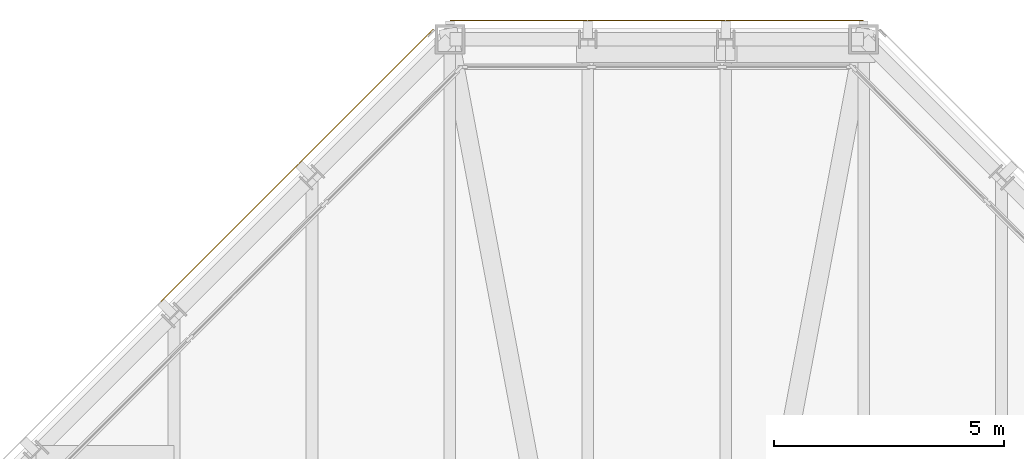
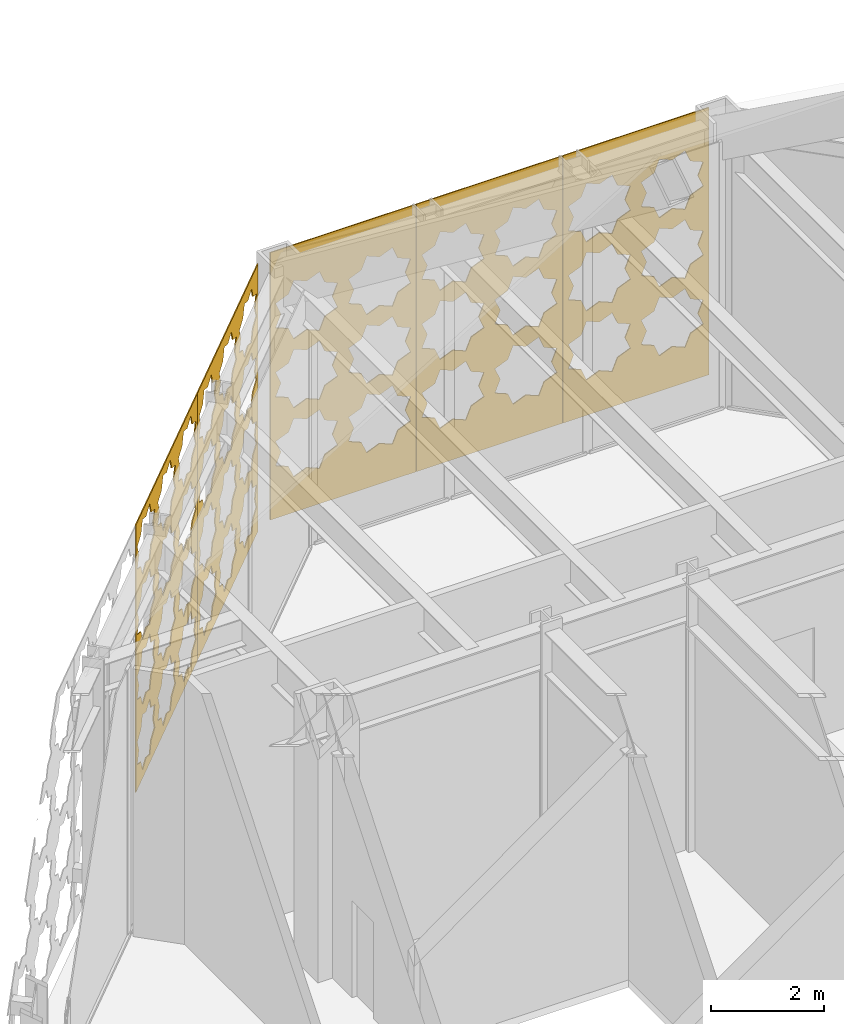
# One storey, part 28 of 30: 5 coverings.
"""IFC4 building model written with IfcOpenShell, lengths in metres."""

from ifc_helpers import new_model, si_unit, direction, frame, origin, place, context, subcontext, project, spatial, polyline, outline, extrude, material, layer, layer_set, type_object, element, save


model = new_model("IFC4")

# Units and contexts
model_context = context("Model", 3, precision=1e-05, world=origin(), true_north=direction((0.0, 1.0)))
body_context = subcontext(model_context, "Body", "Model", "MODEL_VIEW")
ifc_project = project(units=[si_unit("LENGTHUNIT", "METRE"), si_unit("AREAUNIT", "SQUARE_METRE"), si_unit("VOLUMEUNIT", "CUBIC_METRE"), si_unit("PLANEANGLEUNIT", "RADIAN"), si_unit("MASSUNIT", "GRAM", prefix="KILO")], contexts=[model_context])

# Site, building, storey
site_placement = place(None, origin())
site = spatial("IfcSite", under=ifc_project, at=site_placement, CompositionType="ELEMENT")
building_placement = place(site_placement, origin())
building = spatial("IfcBuilding", under=site, at=building_placement, Name="Chuquiago Exchange Tower", CompositionType="ELEMENT")
storey_placement = place(building_placement, frame((0.0, 0.0, 306.0)))
storey = spatial("IfcBuildingStorey", under=building, at=storey_placement, Name="L68", CompositionType="ELEMENT", Elevation=306.0)

# Coverings
ifc_material_1 = material(Name="Anodised aluminium, pale", Category="aluminium")
ifc_layer_1 = layer(ifc_material_1, 0.02001953125)
ifc_layer_set_1 = layer_set([ifc_layer_1], Name="GC3 girih cladding panel 20")
covering_type_1 = type_object("IfcCoveringType", Name="GC3 girih cladding panel 20", PredefinedType="CLADDING", material=ifc_layer_set_1)
covering_1_placement = place(storey_placement, frame((26.9951171875, 45.39990234375, 0.0048828125), z_axis=(0.0, 0.0, 1.0), x_axis=(-1.0, 0.0, 0.0)))
element("IfcCovering", 1, at=covering_1_placement, inside=storey, type_object=covering_type_1, Name="Girih cladding panel L68 N 1", PredefinedType="CLADDING", context=body_context, shape_type="SweptSolid", body=[
    extrude(outline(polyline([(0.0, 0.0), (2.989990234375, 0.0), (2.989990234375, 5.795166015625), (0.0, 5.795166015625), (0.0, 0.0)]), holes=[polyline([(1.27392578125, 1.402587890625), (1.3828125, 1.665771484375), (1.11962890625, 1.77490234375), (1.0107421875, 2.0380859375), (0.74755859375, 1.928955078125), (0.484375, 2.0380859375), (0.375244140625, 1.77490234375), (0.112060546875, 1.665771484375), (0.22119140625, 1.402587890625), (0.112060546875, 1.139404296875), (0.375244140625, 1.030517578125), (0.484375, 0.767333984375), (0.74755859375, 0.876220703125), (1.0107421875, 0.767333984375), (1.11962890625, 1.030517578125), (1.3828125, 1.139404296875), (1.27392578125, 1.402587890625)]), polyline([(2.768798828125, 1.402587890625), (2.8779296875, 1.665771484375), (2.61474609375, 1.77490234375), (2.505615234375, 2.0380859375), (2.242431640625, 1.928955078125), (1.979248046875, 2.0380859375), (1.870361328125, 1.77490234375), (1.607177734375, 1.665771484375), (1.716064453125, 1.402587890625), (1.607177734375, 1.139404296875), (1.870361328125, 1.030517578125), (1.979248046875, 0.767333984375), (2.242431640625, 0.876220703125), (2.505615234375, 0.767333984375), (2.61474609375, 1.030517578125), (2.8779296875, 1.139404296875), (2.768798828125, 1.402587890625)]), polyline([(1.27392578125, 2.897705078125), (1.3828125, 3.160888671875), (1.11962890625, 3.269775390625), (1.0107421875, 3.532958984375), (0.74755859375, 3.424072265625), (0.484375, 3.532958984375), (0.375244140625, 3.269775390625), (0.112060546875, 3.160888671875), (0.22119140625, 2.897705078125), (0.112060546875, 2.634521484375), (0.375244140625, 2.525390625), (0.484375, 2.26220703125), (0.74755859375, 2.371337890625), (1.0107421875, 2.26220703125), (1.11962890625, 2.525390625), (1.3828125, 2.634521484375), (1.27392578125, 2.897705078125)]), polyline([(2.768798828125, 2.897705078125), (2.8779296875, 3.160888671875), (2.61474609375, 3.269775390625), (2.505615234375, 3.532958984375), (2.242431640625, 3.424072265625), (1.979248046875, 3.532958984375), (1.870361328125, 3.269775390625), (1.607177734375, 3.160888671875), (1.716064453125, 2.897705078125), (1.607177734375, 2.634521484375), (1.870361328125, 2.525390625), (1.979248046875, 2.26220703125), (2.242431640625, 2.371337890625), (2.505615234375, 2.26220703125), (2.61474609375, 2.525390625), (2.8779296875, 2.634521484375), (2.768798828125, 2.897705078125)]), polyline([(1.27392578125, 4.392578125), (1.3828125, 4.65576171875), (1.11962890625, 4.764892578125), (1.0107421875, 5.028076171875), (0.74755859375, 4.9189453125), (0.484375, 5.028076171875), (0.375244140625, 4.764892578125), (0.112060546875, 4.65576171875), (0.22119140625, 4.392578125), (0.112060546875, 4.12939453125), (0.375244140625, 4.0205078125), (0.484375, 3.75732421875), (0.74755859375, 3.8662109375), (1.0107421875, 3.75732421875), (1.11962890625, 4.0205078125), (1.3828125, 4.12939453125), (1.27392578125, 4.392578125)]), polyline([(2.768798828125, 4.392578125), (2.8779296875, 4.65576171875), (2.61474609375, 4.764892578125), (2.505615234375, 5.028076171875), (2.242431640625, 4.9189453125), (1.979248046875, 5.028076171875), (1.870361328125, 4.764892578125), (1.607177734375, 4.65576171875), (1.716064453125, 4.392578125), (1.607177734375, 4.12939453125), (1.870361328125, 4.0205078125), (1.979248046875, 3.75732421875), (2.242431640625, 3.8662109375), (2.505615234375, 3.75732421875), (2.61474609375, 4.0205078125), (2.8779296875, 4.12939453125), (2.768798828125, 4.392578125)])]), frame((0.0, 0.0, 0.0), z_axis=(0.0, -1.0, 0.0), x_axis=(1.0, 0.0, 0.0)), (0.0, 0.0, 1.0), 0.02001953125),
])
covering_2_placement = place(storey_placement, frame((23.9951171875, 45.39990234375, 0.0048828125), z_axis=(0.0, 0.0, 1.0), x_axis=(-1.0, 0.0, 0.0)))
element("IfcCovering", 2, at=covering_2_placement, inside=storey, type_object=covering_type_1, Name="Girih cladding panel L68 N 2", PredefinedType="CLADDING", context=body_context, shape_type="SweptSolid", body=[
    extrude(outline(polyline([(0.0, 0.0), (2.989990234375, 0.0), (2.989990234375, 5.795166015625), (0.0, 5.795166015625), (0.0, 0.0)]), holes=[polyline([(1.27392578125, 1.402587890625), (1.3828125, 1.665771484375), (1.11962890625, 1.77490234375), (1.0107421875, 2.0380859375), (0.74755859375, 1.928955078125), (0.484375, 2.0380859375), (0.375244140625, 1.77490234375), (0.112060546875, 1.665771484375), (0.22119140625, 1.402587890625), (0.112060546875, 1.139404296875), (0.375244140625, 1.030517578125), (0.484375, 0.767333984375), (0.74755859375, 0.876220703125), (1.0107421875, 0.767333984375), (1.11962890625, 1.030517578125), (1.3828125, 1.139404296875), (1.27392578125, 1.402587890625)]), polyline([(2.768798828125, 1.402587890625), (2.8779296875, 1.665771484375), (2.61474609375, 1.77490234375), (2.505615234375, 2.0380859375), (2.242431640625, 1.928955078125), (1.979248046875, 2.0380859375), (1.870361328125, 1.77490234375), (1.607177734375, 1.665771484375), (1.716064453125, 1.402587890625), (1.607177734375, 1.139404296875), (1.870361328125, 1.030517578125), (1.979248046875, 0.767333984375), (2.242431640625, 0.876220703125), (2.505615234375, 0.767333984375), (2.61474609375, 1.030517578125), (2.8779296875, 1.139404296875), (2.768798828125, 1.402587890625)]), polyline([(1.27392578125, 2.897705078125), (1.3828125, 3.160888671875), (1.11962890625, 3.269775390625), (1.0107421875, 3.532958984375), (0.74755859375, 3.424072265625), (0.484375, 3.532958984375), (0.375244140625, 3.269775390625), (0.112060546875, 3.160888671875), (0.22119140625, 2.897705078125), (0.112060546875, 2.634521484375), (0.375244140625, 2.525390625), (0.484375, 2.26220703125), (0.74755859375, 2.371337890625), (1.0107421875, 2.26220703125), (1.11962890625, 2.525390625), (1.3828125, 2.634521484375), (1.27392578125, 2.897705078125)]), polyline([(2.768798828125, 2.897705078125), (2.8779296875, 3.160888671875), (2.61474609375, 3.269775390625), (2.505615234375, 3.532958984375), (2.242431640625, 3.424072265625), (1.979248046875, 3.532958984375), (1.870361328125, 3.269775390625), (1.607177734375, 3.160888671875), (1.716064453125, 2.897705078125), (1.607177734375, 2.634521484375), (1.870361328125, 2.525390625), (1.979248046875, 2.26220703125), (2.242431640625, 2.371337890625), (2.505615234375, 2.26220703125), (2.61474609375, 2.525390625), (2.8779296875, 2.634521484375), (2.768798828125, 2.897705078125)]), polyline([(1.27392578125, 4.392578125), (1.3828125, 4.65576171875), (1.11962890625, 4.764892578125), (1.0107421875, 5.028076171875), (0.74755859375, 4.9189453125), (0.484375, 5.028076171875), (0.375244140625, 4.764892578125), (0.112060546875, 4.65576171875), (0.22119140625, 4.392578125), (0.112060546875, 4.12939453125), (0.375244140625, 4.0205078125), (0.484375, 3.75732421875), (0.74755859375, 3.8662109375), (1.0107421875, 3.75732421875), (1.11962890625, 4.0205078125), (1.3828125, 4.12939453125), (1.27392578125, 4.392578125)]), polyline([(2.768798828125, 4.392578125), (2.8779296875, 4.65576171875), (2.61474609375, 4.764892578125), (2.505615234375, 5.028076171875), (2.242431640625, 4.9189453125), (1.979248046875, 5.028076171875), (1.870361328125, 4.764892578125), (1.607177734375, 4.65576171875), (1.716064453125, 4.392578125), (1.607177734375, 4.12939453125), (1.870361328125, 4.0205078125), (1.979248046875, 3.75732421875), (2.242431640625, 3.8662109375), (2.505615234375, 3.75732421875), (2.61474609375, 4.0205078125), (2.8779296875, 4.12939453125), (2.768798828125, 4.392578125)])]), frame((0.0, 0.0, 0.0), z_axis=(0.0, -1.0, 0.0), x_axis=(1.0, 0.0, 0.0)), (0.0, 0.0, 1.0), 0.02001953125),
])
covering_3_placement = place(storey_placement, frame((20.9951171875, 45.39990234375, 0.0048828125), z_axis=(0.0, 0.0, 1.0), x_axis=(-1.0, 0.0, 0.0)))
element("IfcCovering", 3, at=covering_3_placement, inside=storey, type_object=covering_type_1, Name="Girih cladding panel L68 N 3", PredefinedType="CLADDING", context=body_context, shape_type="SweptSolid", body=[
    extrude(outline(polyline([(0.0, 0.0), (2.989990234375, 0.0), (2.989990234375, 5.795166015625), (0.0, 5.795166015625), (0.0, 0.0)]), holes=[polyline([(1.27392578125, 1.402587890625), (1.3828125, 1.665771484375), (1.11962890625, 1.77490234375), (1.0107421875, 2.0380859375), (0.74755859375, 1.928955078125), (0.484375, 2.0380859375), (0.375244140625, 1.77490234375), (0.112060546875, 1.665771484375), (0.22119140625, 1.402587890625), (0.112060546875, 1.139404296875), (0.375244140625, 1.030517578125), (0.484375, 0.767333984375), (0.74755859375, 0.876220703125), (1.0107421875, 0.767333984375), (1.11962890625, 1.030517578125), (1.3828125, 1.139404296875), (1.27392578125, 1.402587890625)]), polyline([(2.768798828125, 1.402587890625), (2.8779296875, 1.665771484375), (2.61474609375, 1.77490234375), (2.505615234375, 2.0380859375), (2.242431640625, 1.928955078125), (1.979248046875, 2.0380859375), (1.870361328125, 1.77490234375), (1.607177734375, 1.665771484375), (1.716064453125, 1.402587890625), (1.607177734375, 1.139404296875), (1.870361328125, 1.030517578125), (1.979248046875, 0.767333984375), (2.242431640625, 0.876220703125), (2.505615234375, 0.767333984375), (2.61474609375, 1.030517578125), (2.8779296875, 1.139404296875), (2.768798828125, 1.402587890625)]), polyline([(1.27392578125, 2.897705078125), (1.3828125, 3.160888671875), (1.11962890625, 3.269775390625), (1.0107421875, 3.532958984375), (0.74755859375, 3.424072265625), (0.484375, 3.532958984375), (0.375244140625, 3.269775390625), (0.112060546875, 3.160888671875), (0.22119140625, 2.897705078125), (0.112060546875, 2.634521484375), (0.375244140625, 2.525390625), (0.484375, 2.26220703125), (0.74755859375, 2.371337890625), (1.0107421875, 2.26220703125), (1.11962890625, 2.525390625), (1.3828125, 2.634521484375), (1.27392578125, 2.897705078125)]), polyline([(2.768798828125, 2.897705078125), (2.8779296875, 3.160888671875), (2.61474609375, 3.269775390625), (2.505615234375, 3.532958984375), (2.242431640625, 3.424072265625), (1.979248046875, 3.532958984375), (1.870361328125, 3.269775390625), (1.607177734375, 3.160888671875), (1.716064453125, 2.897705078125), (1.607177734375, 2.634521484375), (1.870361328125, 2.525390625), (1.979248046875, 2.26220703125), (2.242431640625, 2.371337890625), (2.505615234375, 2.26220703125), (2.61474609375, 2.525390625), (2.8779296875, 2.634521484375), (2.768798828125, 2.897705078125)]), polyline([(1.27392578125, 4.392578125), (1.3828125, 4.65576171875), (1.11962890625, 4.764892578125), (1.0107421875, 5.028076171875), (0.74755859375, 4.9189453125), (0.484375, 5.028076171875), (0.375244140625, 4.764892578125), (0.112060546875, 4.65576171875), (0.22119140625, 4.392578125), (0.112060546875, 4.12939453125), (0.375244140625, 4.0205078125), (0.484375, 3.75732421875), (0.74755859375, 3.8662109375), (1.0107421875, 3.75732421875), (1.11962890625, 4.0205078125), (1.3828125, 4.12939453125), (1.27392578125, 4.392578125)]), polyline([(2.768798828125, 4.392578125), (2.8779296875, 4.65576171875), (2.61474609375, 4.764892578125), (2.505615234375, 5.028076171875), (2.242431640625, 4.9189453125), (1.979248046875, 5.028076171875), (1.870361328125, 4.764892578125), (1.607177734375, 4.65576171875), (1.716064453125, 4.392578125), (1.607177734375, 4.12939453125), (1.870361328125, 4.0205078125), (1.979248046875, 3.75732421875), (2.242431640625, 3.8662109375), (2.505615234375, 3.75732421875), (2.61474609375, 4.0205078125), (2.8779296875, 4.12939453125), (2.768798828125, 4.392578125)])]), frame((0.0, 0.0, 0.0), z_axis=(0.0, -1.0, 0.0), x_axis=(1.0, 0.0, 0.0)), (0.0, 0.0, 1.0), 0.02001953125),
])
ifc_material_2 = material(Name="Anodised aluminium, pale", Category="aluminium")
ifc_layer_2 = layer(ifc_material_2, 0.02001953125)
ifc_layer_set_2 = layer_set([ifc_layer_2], Name="GC4 girih cladding panel 20")
covering_type_2 = type_object("IfcCoveringType", Name="GC4 girih cladding panel 20", PredefinedType="CLADDING", material=ifc_layer_set_2)
covering_4_placement = place(storey_placement, frame((14.713623046875, 42.279296875, 0.0048828125), z_axis=(0.0, 0.0, 1.0), x_axis=(-0.707106781187, -0.707106781187, 0.0)))
element("IfcCovering", 4, at=covering_4_placement, inside=storey, type_object=covering_type_2, Name="Girih cladding panel L68 NW 2", PredefinedType="CLADDING", context=body_context, shape_type="SweptSolid", body=[
    extrude(outline(polyline([(0.0, 0.0), (4.232666015625, 0.0), (4.232666015625, 5.795166015625), (0.0, 5.795166015625), (0.0, 0.0)]), holes=[polyline([(1.2021484375, 0.78125), (1.304931640625, 1.029541015625), (1.056640625, 1.132568359375), (0.953857421875, 1.380859375), (0.70556640625, 1.278076171875), (0.45703125, 1.380859375), (0.354248046875, 1.132568359375), (0.10595703125, 1.029541015625), (0.208740234375, 0.78125), (0.10595703125, 0.532958984375), (0.354248046875, 0.429931640625), (0.45703125, 0.181640625), (0.705322265625, 0.284423828125), (0.953857421875, 0.181640625), (1.056640625, 0.429931640625), (1.304931640625, 0.532958984375), (1.2021484375, 0.78125)]), polyline([(2.613037109375, 0.78125), (2.7158203125, 1.029541015625), (2.467529296875, 1.132568359375), (2.36474609375, 1.380859375), (2.116455078125, 1.278076171875), (1.867919921875, 1.380859375), (1.76513671875, 1.132568359375), (1.516845703125, 1.029541015625), (1.61962890625, 0.78125), (1.516845703125, 0.532958984375), (1.76513671875, 0.429931640625), (1.867919921875, 0.181640625), (2.116455078125, 0.284423828125), (2.36474609375, 0.181640625), (2.467529296875, 0.429931640625), (2.7158203125, 0.532958984375), (2.613037109375, 0.78125)]), polyline([(4.02392578125, 0.78125), (4.126708984375, 1.029541015625), (3.87841796875, 1.132568359375), (3.775634765625, 1.380859375), (3.527099609375, 1.278076171875), (3.27880859375, 1.380859375), (3.176025390625, 1.132568359375), (2.927734375, 1.029541015625), (3.030517578125, 0.78125), (2.927734375, 0.532958984375), (3.176025390625, 0.429931640625), (3.27880859375, 0.181640625), (3.527099609375, 0.284423828125), (3.775634765625, 0.181640625), (3.87841796875, 0.429931640625), (4.126708984375, 0.532958984375), (4.02392578125, 0.78125)]), polyline([(1.2021484375, 2.192138671875), (1.304931640625, 2.4404296875), (1.056640625, 2.54345703125), (0.953857421875, 2.791748046875), (0.70556640625, 2.68896484375), (0.45703125, 2.791748046875), (0.354248046875, 2.54345703125), (0.10595703125, 2.4404296875), (0.208740234375, 2.192138671875), (0.10595703125, 1.94384765625), (0.354248046875, 1.8408203125), (0.45703125, 1.592529296875), (0.705322265625, 1.6953125), (0.953857421875, 1.592529296875), (1.056640625, 1.8408203125), (1.304931640625, 1.94384765625), (1.2021484375, 2.192138671875)]), polyline([(2.613037109375, 2.192138671875), (2.7158203125, 2.4404296875), (2.467529296875, 2.54345703125), (2.36474609375, 2.791748046875), (2.116455078125, 2.68896484375), (1.867919921875, 2.791748046875), (1.76513671875, 2.54345703125), (1.516845703125, 2.4404296875), (1.61962890625, 2.192138671875), (1.516845703125, 1.94384765625), (1.76513671875, 1.8408203125), (1.867919921875, 1.592529296875), (2.116455078125, 1.6953125), (2.36474609375, 1.592529296875), (2.467529296875, 1.8408203125), (2.7158203125, 1.94384765625), (2.613037109375, 2.192138671875)]), polyline([(4.02392578125, 2.192138671875), (4.126708984375, 2.4404296875), (3.87841796875, 2.54345703125), (3.775634765625, 2.791748046875), (3.527099609375, 2.68896484375), (3.27880859375, 2.791748046875), (3.176025390625, 2.54345703125), (2.927734375, 2.4404296875), (3.030517578125, 2.192138671875), (2.927734375, 1.94384765625), (3.176025390625, 1.8408203125), (3.27880859375, 1.592529296875), (3.527099609375, 1.6953125), (3.775634765625, 1.592529296875), (3.87841796875, 1.8408203125), (4.126708984375, 1.94384765625), (4.02392578125, 2.192138671875)]), polyline([(1.2021484375, 3.60302734375), (1.304931640625, 3.851318359375), (1.056640625, 3.954345703125), (0.953857421875, 4.20263671875), (0.70556640625, 4.099853515625), (0.45703125, 4.20263671875), (0.354248046875, 3.954345703125), (0.10595703125, 3.851318359375), (0.208740234375, 3.60302734375), (0.10595703125, 3.354736328125), (0.354248046875, 3.251708984375), (0.45703125, 3.00341796875), (0.705322265625, 3.106201171875), (0.953857421875, 3.00341796875), (1.056640625, 3.251708984375), (1.304931640625, 3.354736328125), (1.2021484375, 3.60302734375)]), polyline([(2.613037109375, 3.60302734375), (2.7158203125, 3.851318359375), (2.467529296875, 3.954345703125), (2.36474609375, 4.20263671875), (2.116455078125, 4.099853515625), (1.867919921875, 4.20263671875), (1.76513671875, 3.954345703125), (1.516845703125, 3.851318359375), (1.61962890625, 3.60302734375), (1.516845703125, 3.354736328125), (1.76513671875, 3.251708984375), (1.867919921875, 3.00341796875), (2.116455078125, 3.106201171875), (2.36474609375, 3.00341796875), (2.467529296875, 3.251708984375), (2.7158203125, 3.354736328125), (2.613037109375, 3.60302734375)]), polyline([(4.02392578125, 3.60302734375), (4.126708984375, 3.851318359375), (3.87841796875, 3.954345703125), (3.775634765625, 4.20263671875), (3.527099609375, 4.099853515625), (3.27880859375, 4.20263671875), (3.176025390625, 3.954345703125), (2.927734375, 3.851318359375), (3.030517578125, 3.60302734375), (2.927734375, 3.354736328125), (3.176025390625, 3.251708984375), (3.27880859375, 3.00341796875), (3.527099609375, 3.106201171875), (3.775634765625, 3.00341796875), (3.87841796875, 3.251708984375), (4.126708984375, 3.354736328125), (4.02392578125, 3.60302734375)]), polyline([(1.2021484375, 5.013916015625), (1.304931640625, 5.26220703125), (1.056640625, 5.365234375), (0.953857421875, 5.613525390625), (0.70556640625, 5.5107421875), (0.45703125, 5.613525390625), (0.354248046875, 5.365234375), (0.10595703125, 5.26220703125), (0.208740234375, 5.013916015625), (0.10595703125, 4.765625), (0.354248046875, 4.66259765625), (0.45703125, 4.414306640625), (0.705322265625, 4.517333984375), (0.953857421875, 4.414306640625), (1.056640625, 4.66259765625), (1.304931640625, 4.765625), (1.2021484375, 5.013916015625)]), polyline([(2.613037109375, 5.013916015625), (2.7158203125, 5.26220703125), (2.467529296875, 5.365234375), (2.36474609375, 5.613525390625), (2.116455078125, 5.5107421875), (1.867919921875, 5.613525390625), (1.76513671875, 5.365234375), (1.516845703125, 5.26220703125), (1.61962890625, 5.013916015625), (1.516845703125, 4.765625), (1.76513671875, 4.66259765625), (1.867919921875, 4.414306640625), (2.116455078125, 4.517333984375), (2.36474609375, 4.414306640625), (2.467529296875, 4.66259765625), (2.7158203125, 4.765625), (2.613037109375, 5.013916015625)]), polyline([(4.02392578125, 5.013916015625), (4.126708984375, 5.26220703125), (3.87841796875, 5.365234375), (3.775634765625, 5.613525390625), (3.527099609375, 5.5107421875), (3.27880859375, 5.613525390625), (3.176025390625, 5.365234375), (2.927734375, 5.26220703125), (3.030517578125, 5.013916015625), (2.927734375, 4.765625), (3.176025390625, 4.66259765625), (3.27880859375, 4.414306640625), (3.527099609375, 4.517333984375), (3.775634765625, 4.414306640625), (3.87841796875, 4.66259765625), (4.126708984375, 4.765625), (4.02392578125, 5.013916015625)])]), frame((0.0, 0.0, 0.0), z_axis=(0.0, -1.0, 0.0), x_axis=(1.0, 0.0, 0.0)), (0.0, 0.0, 1.0), 0.02001953125),
])
ifc_material_3 = material(Name="Anodised aluminium, pale", Category="aluminium")
ifc_layer_3 = layer(ifc_material_3, 0.02001953125)
ifc_layer_set_3 = layer_set([ifc_layer_3], Name="GC7 girih cladding panel 20")
covering_type_3 = type_object("IfcCoveringType", Name="GC7 girih cladding panel 20", PredefinedType="CLADDING", material=ifc_layer_set_3)
covering_5_placement = place(storey_placement, frame((17.64990234375, 45.2158203125, 0.0048828125), z_axis=(0.0, 0.0, 1.0), x_axis=(-0.707106781187, -0.707106781187, 0.0)))
element("IfcCovering", 5, at=covering_5_placement, inside=storey, type_object=covering_type_3, Name="Girih cladding panel L68 NW 1", PredefinedType="CLADDING", context=body_context, shape_type="SweptSolid", body=[
    extrude(outline(polyline([(0.0, 0.0), (4.142578125, 0.0), (4.142578125, 5.795166015625), (0.0, 5.795166015625), (0.0, 0.0)]), holes=[polyline([(1.176513671875, 0.826416015625), (1.27734375, 1.0693359375), (1.0341796875, 1.169921875), (0.93359375, 1.4130859375), (0.6904296875, 1.3125), (0.447509765625, 1.4130859375), (0.3466796875, 1.169921875), (0.103515625, 1.0693359375), (0.204345703125, 0.826416015625), (0.103515625, 0.583251953125), (0.3466796875, 0.482421875), (0.447509765625, 0.239501953125), (0.6904296875, 0.340087890625), (0.93359375, 0.239501953125), (1.0341796875, 0.482421875), (1.27734375, 0.583251953125), (1.176513671875, 0.826416015625)]), polyline([(2.5576171875, 0.826416015625), (2.658203125, 1.0693359375), (2.4150390625, 1.169921875), (2.314453125, 1.4130859375), (2.0712890625, 1.3125), (1.828369140625, 1.4130859375), (1.7275390625, 1.169921875), (1.484619140625, 1.0693359375), (1.585205078125, 0.826416015625), (1.484619140625, 0.583251953125), (1.7275390625, 0.482421875), (1.828369140625, 0.239501953125), (2.0712890625, 0.340087890625), (2.314453125, 0.239501953125), (2.4150390625, 0.482421875), (2.658203125, 0.583251953125), (2.5576171875, 0.826416015625)]), polyline([(3.9384765625, 0.826416015625), (4.0390625, 1.0693359375), (3.7958984375, 1.169921875), (3.6953125, 1.4130859375), (3.452392578125, 1.3125), (3.209228515625, 1.4130859375), (3.1083984375, 1.169921875), (2.865478515625, 1.0693359375), (2.966064453125, 0.826416015625), (2.865478515625, 0.583251953125), (3.1083984375, 0.482421875), (3.209228515625, 0.239501953125), (3.452392578125, 0.340087890625), (3.6953125, 0.239501953125), (3.7958984375, 0.482421875), (4.0390625, 0.583251953125), (3.9384765625, 0.826416015625)]), polyline([(1.176513671875, 2.207275390625), (1.27734375, 2.4501953125), (1.0341796875, 2.551025390625), (0.93359375, 2.7939453125), (0.6904296875, 2.693359375), (0.447509765625, 2.7939453125), (0.3466796875, 2.551025390625), (0.103515625, 2.4501953125), (0.204345703125, 2.207275390625), (0.103515625, 1.964111328125), (0.3466796875, 1.863525390625), (0.447509765625, 1.620361328125), (0.6904296875, 1.720947265625), (0.93359375, 1.620361328125), (1.0341796875, 1.863525390625), (1.27734375, 1.964111328125), (1.176513671875, 2.207275390625)]), polyline([(2.5576171875, 2.207275390625), (2.658203125, 2.4501953125), (2.4150390625, 2.551025390625), (2.314453125, 2.7939453125), (2.0712890625, 2.693359375), (1.828369140625, 2.7939453125), (1.7275390625, 2.551025390625), (1.484619140625, 2.4501953125), (1.585205078125, 2.207275390625), (1.484619140625, 1.964111328125), (1.7275390625, 1.863525390625), (1.828369140625, 1.620361328125), (2.0712890625, 1.720947265625), (2.314453125, 1.620361328125), (2.4150390625, 1.863525390625), (2.658203125, 1.964111328125), (2.5576171875, 2.207275390625)]), polyline([(3.9384765625, 2.207275390625), (4.0390625, 2.4501953125), (3.7958984375, 2.551025390625), (3.6953125, 2.7939453125), (3.452392578125, 2.693359375), (3.209228515625, 2.7939453125), (3.1083984375, 2.551025390625), (2.865478515625, 2.4501953125), (2.966064453125, 2.207275390625), (2.865478515625, 1.964111328125), (3.1083984375, 1.863525390625), (3.209228515625, 1.620361328125), (3.452392578125, 1.720947265625), (3.6953125, 1.620361328125), (3.7958984375, 1.863525390625), (4.0390625, 1.964111328125), (3.9384765625, 2.207275390625)]), polyline([(1.176513671875, 3.588134765625), (1.27734375, 3.8310546875), (1.0341796875, 3.931884765625), (0.93359375, 4.1748046875), (0.6904296875, 4.07421875), (0.447509765625, 4.1748046875), (0.3466796875, 3.931884765625), (0.103515625, 3.8310546875), (0.204345703125, 3.588134765625), (0.103515625, 3.344970703125), (0.3466796875, 3.244384765625), (0.447509765625, 3.001220703125), (0.6904296875, 3.101806640625), (0.93359375, 3.001220703125), (1.0341796875, 3.244384765625), (1.27734375, 3.344970703125), (1.176513671875, 3.588134765625)]), polyline([(2.5576171875, 3.588134765625), (2.658203125, 3.8310546875), (2.4150390625, 3.931884765625), (2.314453125, 4.1748046875), (2.0712890625, 4.07421875), (1.828369140625, 4.1748046875), (1.7275390625, 3.931884765625), (1.484619140625, 3.8310546875), (1.585205078125, 3.588134765625), (1.484619140625, 3.344970703125), (1.7275390625, 3.244384765625), (1.828369140625, 3.001220703125), (2.0712890625, 3.101806640625), (2.314453125, 3.001220703125), (2.4150390625, 3.244384765625), (2.658203125, 3.344970703125), (2.5576171875, 3.588134765625)]), polyline([(3.9384765625, 3.588134765625), (4.0390625, 3.8310546875), (3.7958984375, 3.931884765625), (3.6953125, 4.1748046875), (3.452392578125, 4.07421875), (3.209228515625, 4.1748046875), (3.1083984375, 3.931884765625), (2.865478515625, 3.8310546875), (2.966064453125, 3.588134765625), (2.865478515625, 3.344970703125), (3.1083984375, 3.244384765625), (3.209228515625, 3.001220703125), (3.452392578125, 3.101806640625), (3.6953125, 3.001220703125), (3.7958984375, 3.244384765625), (4.0390625, 3.344970703125), (3.9384765625, 3.588134765625)]), polyline([(1.176513671875, 4.968994140625), (1.27734375, 5.2119140625), (1.0341796875, 5.312744140625), (0.93359375, 5.555908203125), (0.6904296875, 5.455078125), (0.447509765625, 5.555908203125), (0.3466796875, 5.312744140625), (0.103515625, 5.2119140625), (0.204345703125, 4.968994140625), (0.103515625, 4.725830078125), (0.3466796875, 4.625244140625), (0.447509765625, 4.382080078125), (0.6904296875, 4.48291015625), (0.93359375, 4.382080078125), (1.0341796875, 4.625244140625), (1.27734375, 4.725830078125), (1.176513671875, 4.968994140625)]), polyline([(2.5576171875, 4.968994140625), (2.658203125, 5.2119140625), (2.4150390625, 5.312744140625), (2.314453125, 5.555908203125), (2.0712890625, 5.455078125), (1.828369140625, 5.555908203125), (1.7275390625, 5.312744140625), (1.484619140625, 5.2119140625), (1.585205078125, 4.968994140625), (1.484619140625, 4.725830078125), (1.7275390625, 4.625244140625), (1.828369140625, 4.382080078125), (2.0712890625, 4.48291015625), (2.314453125, 4.382080078125), (2.4150390625, 4.625244140625), (2.658203125, 4.725830078125), (2.5576171875, 4.968994140625)]), polyline([(3.9384765625, 4.968994140625), (4.0390625, 5.2119140625), (3.7958984375, 5.312744140625), (3.6953125, 5.555908203125), (3.452392578125, 5.455078125), (3.209228515625, 5.555908203125), (3.1083984375, 5.312744140625), (2.865478515625, 5.2119140625), (2.966064453125, 4.968994140625), (2.865478515625, 4.725830078125), (3.1083984375, 4.625244140625), (3.209228515625, 4.382080078125), (3.452392578125, 4.48291015625), (3.6953125, 4.382080078125), (3.7958984375, 4.625244140625), (4.0390625, 4.725830078125), (3.9384765625, 4.968994140625)])]), frame((0.0, 0.0, 0.0), z_axis=(0.0, -1.0, 0.0), x_axis=(1.0, 0.0, 0.0)), (0.0, 0.0, 1.0), 0.02001953125),
])

save(model, "model.ifc")
